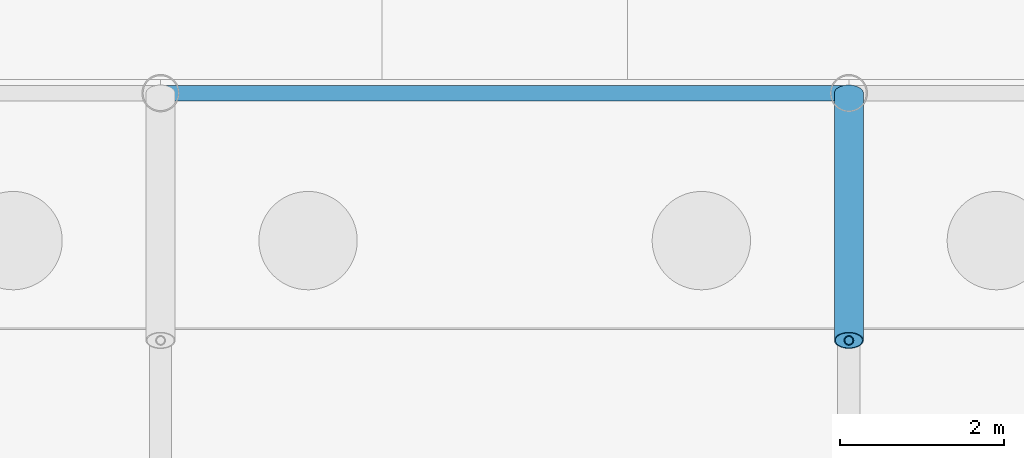
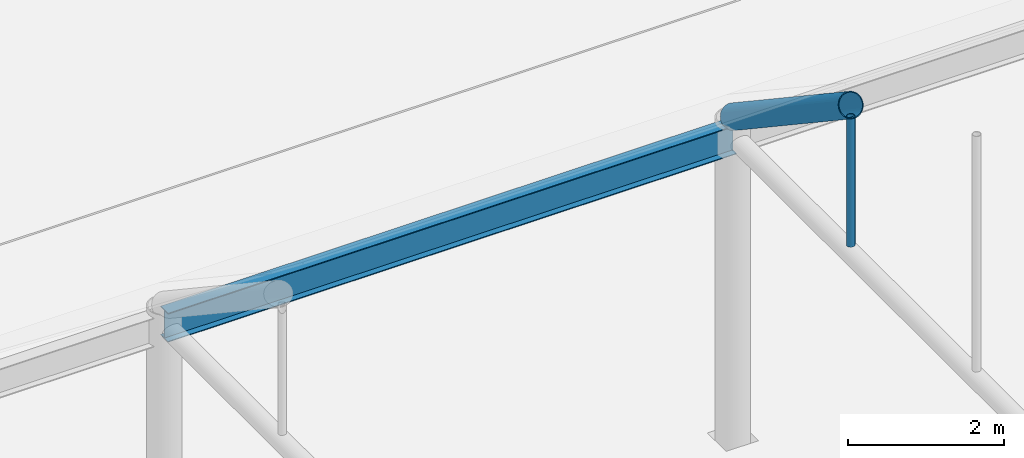
# One storey, part 74 of 212: 2 members, 1 beam.
"""IFC4 building model written with IfcOpenShell, lengths in metres."""

from ifc_helpers import new_model, si_unit, direction, frame, origin, origin_2d, place, context, subcontext, project, spatial, hollow_circle, i_section, extrude, material, material_profile, profile_set, type_object, element, save


model = new_model("IFC4")

# Units and contexts
model_context = context("Model", 3, precision=1e-05, world=origin(), true_north=direction((0.0, 1.0)))
body_context = subcontext(model_context, "Body", "Model", "MODEL_VIEW")
ifc_project = project(units=[si_unit("LENGTHUNIT", "METRE"), si_unit("AREAUNIT", "SQUARE_METRE"), si_unit("VOLUMEUNIT", "CUBIC_METRE"), si_unit("PLANEANGLEUNIT", "RADIAN"), si_unit("MASSUNIT", "GRAM", prefix="KILO")], contexts=[model_context])

# Site, building, storey
site_placement = place(None, origin())
site = spatial("IfcSite", under=ifc_project, at=site_placement, CompositionType="ELEMENT")
building_placement = place(site_placement, origin())
building = spatial("IfcBuilding", under=site, at=building_placement, Name="Catenary Quay Ferry Terminal", CompositionType="ELEMENT")
storey_placement = place(building_placement, origin())
storey = spatial("IfcBuildingStorey", under=building, at=storey_placement, Name="L00", CompositionType="ELEMENT", Elevation=0.0)

# Beam
ifc_material_1 = material(Name="Steel S355", Category="steel")
ifc_material_profile_1 = material_profile(ifc_material_1, i_section(OverallWidth=0.18994140625, OverallDepth=0.453369140625, WebThickness=0.008544921875, FlangeThickness=0.0126953125, at=origin_2d()), Name="UB 457x191x67")
ifc_profile_set_1 = profile_set([ifc_material_profile_1], Name="Steel S355")
beam_type = type_object("IfcBeamType", Name="B1 UB 457x191x67", PredefinedType="BEAM", material=ifc_profile_set_1)
beam_placement = place(storey_placement, frame((58.800048828125, 50.39990234375, 4.699951171875), z_axis=(1.0, 0.0, 0.0), x_axis=(0.0, 1.0, 0.0)))
element("IfcBeam", 1, at=beam_placement, inside=storey, type_object=beam_type, Name="Eaves beam B-CA7-6", PredefinedType="BEAM", context=body_context, shape_type="SweptSolid", body=[
    extrude(i_section(OverallWidth=0.18994140625, OverallDepth=0.453369140625, WebThickness=0.008544921875, FlangeThickness=0.0126953125, at=origin_2d()), origin(), (0.0, 0.0, 1.0), 8.39990234375),
])

# Members
ifc_material_2 = material(Name="Steel S355", Category="steel")
ifc_material_profile_2 = material_profile(ifc_material_2, hollow_circle(Radius=0.05712890625, WallThickness=0.00634765625, at=origin_2d()), Name="CHS 114.3x6.3")
ifc_profile_set_2 = profile_set([ifc_material_profile_2], Name="Steel S355")
member_type_1 = type_object("IfcMemberType", Name="HG1 CHS 114.3x6.3", PredefinedType="POST", material=ifc_profile_set_2)
member_1_placement = place(storey_placement, frame((67.199951171875, 47.382080078125, 4.830078125), z_axis=(0.0, 0.0, 1.0), x_axis=(1.0, 0.0, 0.0)))
element("IfcMember", 2, at=member_1_placement, inside=storey, type_object=member_type_1, Name="Hanger CA-07-09", PredefinedType="POST", context=body_context, shape_type="SweptSolid", body=[
    extrude(hollow_circle(Radius=0.05712890625, WallThickness=0.00634765625, at=origin_2d()), origin(), (0.0, 0.0, 1.0), 2.010986328125),
])
ifc_material_3 = material(Name="Steel S355", Category="steel")
ifc_material_profile_3 = material_profile(ifc_material_3, hollow_circle(Radius=0.177734375, WallThickness=0.012451171875, at=origin_2d()), Name="CHS 355.6x12.5")
ifc_profile_set_3 = profile_set([ifc_material_profile_3], Name="Steel S355")
member_type_2 = type_object("IfcMemberType", Name="VR1 CHS 355.6x12.5", PredefinedType="RAFTER", material=ifc_profile_set_3)
member_2_placement = place(storey_placement, frame((67.199951171875, 47.382080078125, 7.012939453125), z_axis=(0.0, 0.831915666545, -0.554902084837), x_axis=(-1.0, 0.0, 0.0)))
element("IfcMember", 3, at=member_2_placement, inside=storey, type_object=member_type_2, Name="rib CA-07-10", PredefinedType="RAFTER", context=body_context, shape_type="SweptSolid", body=[
    extrude(hollow_circle(Radius=0.177734375, WallThickness=0.012451171875, at=origin_2d()), origin(), (0.0, 0.0, 1.0), 3.62744140625),
])

save(model, "model.ifc")
